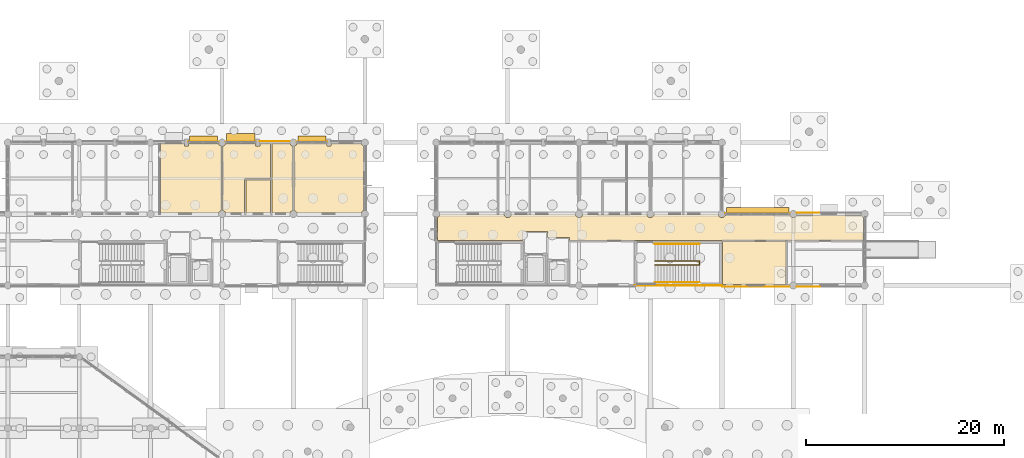
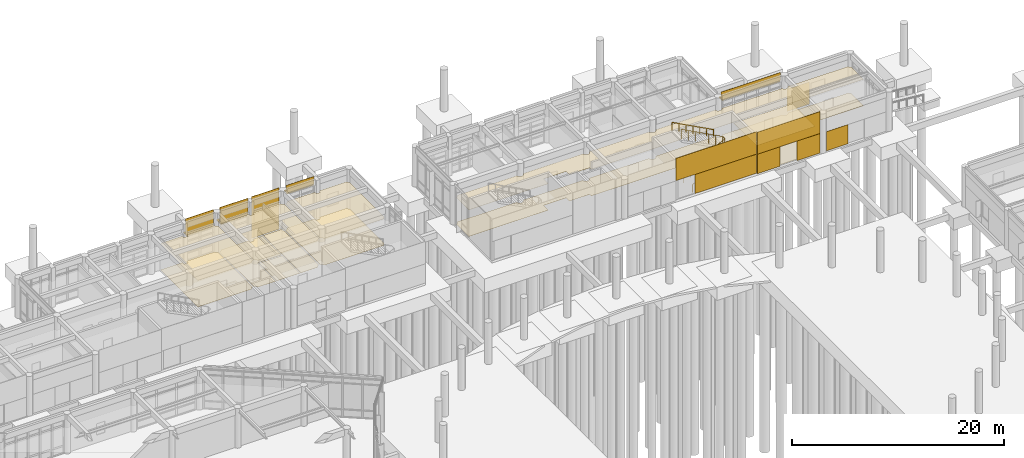
# One storey, part 97 of 103: 26 coverings, 4 shading devices, 3 railings.
"""IFC4 building model written with IfcOpenShell, lengths in metres."""

from ifc_helpers import new_model, si_unit, direction, frame, origin, origin_2d, place, context, subcontext, project, spatial, polyline, rectangle, circle, outline, extrude, material, layer, layer_set, type_object, element, save


model = new_model("IFC4")

# Units and contexts
model_context = context("Model", 3, precision=1e-05, world=origin(), true_north=direction((0.0, 1.0)))
body_context = subcontext(model_context, "Body", "Model", "MODEL_VIEW")
ifc_project = project(units=[si_unit("LENGTHUNIT", "METRE"), si_unit("AREAUNIT", "SQUARE_METRE"), si_unit("VOLUMEUNIT", "CUBIC_METRE"), si_unit("PLANEANGLEUNIT", "RADIAN"), si_unit("MASSUNIT", "GRAM", prefix="KILO")], contexts=[model_context])

# Site, building, storey
site_placement = place(None, origin())
site = spatial("IfcSite", under=ifc_project, at=site_placement, CompositionType="ELEMENT")
building_placement = place(site_placement, origin())
building = spatial("IfcBuilding", under=site, at=building_placement, Name="Namkhue Oval Health Centre", CompositionType="ELEMENT")
storey_placement = place(building_placement, origin())
storey = spatial("IfcBuildingStorey", under=building, at=storey_placement, Name="L00", CompositionType="ELEMENT", Elevation=0.0)

# Coverings
ifc_material_1 = material(Name="Acoustic mineral-fibre cleanroom ceiling", Category="gypsum")
ifc_layer_1 = layer(ifc_material_1, 0.02001953125)
ifc_layer_set_1 = layer_set([ifc_layer_1], Name="Acoustic mineral-fibre cleanroom ceiling")
covering_type_1 = type_object("IfcCoveringType", Name="ACOUSTIC CLEANROOM CEILING 20", PredefinedType="CEILING", material=ifc_layer_set_1)
covering_1_placement = place(storey_placement, frame((0.0, 0.0, 3.050048828125)))
element("IfcCovering", 1, at=covering_1_placement, inside=storey, type_object=covering_type_1, Name="Acoustic Ceiling L00-204 Vaccination Immunisation Room", PredefinedType="CEILING", context=body_context, shape_type="SweptSolid", body=[
    extrude(outline(polyline([(65.801025390625, 97.280029296875), (65.801025390625, 104.31494140625), (68.18994140625, 104.31494140625), (68.18994140625, 104.0400390625), (68.610107421875, 104.0400390625), (68.610107421875, 104.31494140625), (71.651123046875, 104.31494140625), (71.688232421875, 104.219970703125), (71.745361328125, 104.1455078125), (71.820068359375, 104.088134765625), (71.90673828125, 104.05224609375), (71.929931640625, 104.04931640625), (71.929931640625, 97.55078125), (71.90673828125, 97.547607421875), (71.820068359375, 97.51171875), (71.745361328125, 97.45458984375), (71.688232421875, 97.3798828125), (71.65234375, 97.293212890625), (71.650390625, 97.280029296875), (65.801025390625, 97.280029296875)])), origin(), (0.0, 0.0, 1.0), 0.02001953125),
])
covering_2_placement = place(storey_placement, frame((0.0, 0.0, 3.050048828125)))
element("IfcCovering", 2, at=covering_2_placement, inside=storey, type_object=covering_type_1, Name="Acoustic Ceiling L00-205 Clean Medical Utility Room", PredefinedType="CEILING", context=body_context, shape_type="SweptSolid", body=[
    extrude(outline(polyline([(75.389892578125, 104.31494140625), (75.389892578125, 104.0400390625), (75.81005859375, 104.0400390625), (75.81005859375, 104.31494140625), (76.89990234375, 104.31494140625), (76.89990234375, 100.739990234375), (74.280029296875, 100.739990234375), (74.280029296875, 97.280029296875), (72.349609375, 97.280029296875), (72.34765625, 97.293212890625), (72.311767578125, 97.3798828125), (72.254638671875, 97.45458984375), (72.179931640625, 97.51171875), (72.09326171875, 97.547607421875), (72.070068359375, 97.55078125), (72.070068359375, 104.04931640625), (72.09326171875, 104.05224609375), (72.179931640625, 104.088134765625), (72.254638671875, 104.1455078125), (72.311767578125, 104.219970703125), (72.348876953125, 104.31494140625), (75.389892578125, 104.31494140625)])), origin(), (0.0, 0.0, 1.0), 0.02001953125),
])
covering_3_placement = place(storey_placement, frame((0.0, 0.0, 3.050048828125)))
element("IfcCovering", 3, at=covering_3_placement, inside=storey, type_object=covering_type_1, Name="Acoustic Ceiling L00-206 Accessible WC", PredefinedType="CEILING", context=body_context, shape_type="SweptSolid", body=[
    extrude(outline(polyline([(76.89990234375, 100.6201171875), (76.89990234375, 97.280029296875), (74.39990234375, 97.280029296875), (74.39990234375, 100.6201171875), (76.89990234375, 100.6201171875)])), origin(), (0.0, 0.0, 1.0), 0.02001953125),
])
covering_4_placement = place(storey_placement, frame((0.0, 0.0, 3.050048828125)))
element("IfcCovering", 4, at=covering_4_placement, inside=storey, type_object=covering_type_1, Name="Acoustic Ceiling L00-207 Public Washroom", PredefinedType="CEILING", context=body_context, shape_type="SweptSolid", body=[
    extrude(outline(polyline([(77.02001953125, 97.280029296875), (77.02001953125, 104.31494140625), (78.851318359375, 104.31494140625), (78.88818359375, 104.219970703125), (78.9453125, 104.1455078125), (79.02001953125, 104.088134765625), (79.106689453125, 104.05224609375), (79.1298828125, 104.04931640625), (79.1298828125, 97.55078125), (79.106689453125, 97.547607421875), (79.02001953125, 97.51171875), (78.9453125, 97.45458984375), (78.88818359375, 97.3798828125), (78.852294921875, 97.293212890625), (78.8505859375, 97.280029296875), (77.02001953125, 97.280029296875)])), origin(), (0.0, 0.0, 1.0), 0.02001953125),
])
covering_5_placement = place(storey_placement, frame((0.0, 0.0, 3.050048828125)))
element("IfcCovering", 5, at=covering_5_placement, inside=storey, type_object=covering_type_1, Name="Acoustic Ceiling L00-208 GP Triage Reception", PredefinedType="CEILING", context=body_context, shape_type="SweptSolid", body=[
    extrude(outline(polyline([(79.549560546875, 97.280029296875), (79.547607421875, 97.293212890625), (79.51171875, 97.3798828125), (79.45458984375, 97.45458984375), (79.3798828125, 97.51171875), (79.293212890625, 97.547607421875), (79.27001953125, 97.55078125), (79.27001953125, 104.04931640625), (79.293212890625, 104.05224609375), (79.3798828125, 104.088134765625), (79.45458984375, 104.1455078125), (79.51171875, 104.219970703125), (79.548828125, 104.31494140625), (82.590087890625, 104.31494140625), (82.590087890625, 104.0400390625), (83.010009765625, 104.0400390625), (83.010009765625, 104.31494140625), (86.05126953125, 104.31494140625), (86.088134765625, 104.219970703125), (86.1455078125, 104.1455078125), (86.219970703125, 104.088134765625), (86.2451171875, 104.077880859375), (86.2451171875, 97.522216796875), (86.219970703125, 97.51171875), (86.1455078125, 97.45458984375), (86.088134765625, 97.3798828125), (86.05224609375, 97.293212890625), (86.050537109375, 97.280029296875), (79.549560546875, 97.280029296875)])), origin(), (0.0, 0.0, 1.0), 0.02001953125),
])
covering_6_placement = place(storey_placement, frame((0.0, 0.0, 3.050048828125)))
element("IfcCovering", 6, at=covering_6_placement, inside=storey, type_object=covering_type_1, Name="Acoustic Ceiling L00-V3-C1 V3 Clinical Corridor", PredefinedType="CEILING", context=body_context, shape_type="SweptSolid", body=[
    extrude(outline(polyline([(107.0400390625, 94.800048828125), (107.037109375, 94.815185546875), (107.0283203125, 94.828369140625), (107.015380859375, 94.8369140625), (107.0, 94.840087890625), (104.840087890625, 94.840087890625), (104.83984375, 95.40380859375), (104.8369140625, 95.415283203125), (104.828369140625, 95.42822265625), (104.815185546875, 95.43701171875), (104.803955078125, 95.439697265625), (102.39990234375, 95.43994140625), (102.384765625, 95.43701171875), (102.37158203125, 95.42822265625), (102.363037109375, 95.415283203125), (102.360107421875, 95.39990234375), (102.360107421875, 94.5400390625), (93.72509765625, 94.5400390625), (93.72509765625, 96.865478515625), (93.780029296875, 96.88818359375), (93.8544921875, 96.9453125), (93.911865234375, 97.02001953125), (93.94775390625, 97.106689453125), (93.95458984375, 97.159912109375), (100.4453125, 97.159912109375), (100.452392578125, 97.106689453125), (100.48828125, 97.02001953125), (100.54541015625, 96.9453125), (100.6201171875, 96.88818359375), (100.706787109375, 96.852294921875), (100.800048828125, 96.840087890625), (100.893310546875, 96.852294921875), (100.97998046875, 96.88818359375), (101.0546875, 96.9453125), (101.11181640625, 97.02001953125), (101.147705078125, 97.106689453125), (101.15478515625, 97.159912109375), (107.645263671875, 97.159912109375), (107.65234375, 97.106689453125), (107.688232421875, 97.02001953125), (107.745361328125, 96.9453125), (107.820068359375, 96.88818359375), (107.90673828125, 96.852294921875), (108.0, 96.840087890625), (108.09326171875, 96.852294921875), (108.179931640625, 96.88818359375), (108.254638671875, 96.9453125), (108.311767578125, 97.02001953125), (108.34765625, 97.106689453125), (108.354736328125, 97.159912109375), (114.84521484375, 97.159912109375), (114.852294921875, 97.106689453125), (114.88818359375, 97.02001953125), (114.9453125, 96.9453125), (115.02001953125, 96.88818359375), (115.106689453125, 96.852294921875), (115.199951171875, 96.840087890625), (115.293212890625, 96.852294921875), (115.3798828125, 96.88818359375), (115.45458984375, 96.9453125), (115.51171875, 97.02001953125), (115.547607421875, 97.106689453125), (115.5546875, 97.159912109375), (122.04541015625, 97.159912109375), (122.05224609375, 97.106689453125), (122.088134765625, 97.02001953125), (122.1455078125, 96.9453125), (122.219970703125, 96.88818359375), (122.306884765625, 96.852294921875), (122.39990234375, 96.840087890625), (122.4931640625, 96.852294921875), (122.580078125, 96.88818359375), (122.654541015625, 96.9453125), (122.7119140625, 97.02001953125), (122.734619140625, 97.074951171875), (129.265380859375, 97.074951171875), (129.2880859375, 97.02001953125), (129.345458984375, 96.9453125), (129.419921875, 96.88818359375), (129.5068359375, 96.852294921875), (129.60009765625, 96.840087890625), (129.693115234375, 96.852294921875), (129.780029296875, 96.88818359375), (129.8544921875, 96.9453125), (129.911865234375, 97.02001953125), (129.9345703125, 97.074951171875), (136.46533203125, 97.074951171875), (136.48828125, 97.02001953125), (136.54541015625, 96.9453125), (136.6201171875, 96.88818359375), (136.675048828125, 96.865478515625), (136.675048828125, 94.5400390625), (107.0400390625, 94.5400390625), (107.0400390625, 94.800048828125)])), origin(), (0.0, 0.0, 1.0), 0.02001953125),
])
covering_7_placement = place(storey_placement, frame((0.0, 0.0, 3.050048828125)))
element("IfcCovering", 7, at=covering_7_placement, inside=storey, type_object=covering_type_1, Name="Acoustic Ceiling L00-310 Vascular Doppler Diagnostics", PredefinedType="CEILING", context=body_context, shape_type="SweptSolid", body=[
    extrude(outline(polyline([(122.47998046875, 90.0849609375), (122.47998046875, 94.419921875), (128.860107421875, 94.419921875), (128.860107421875, 90.0849609375), (122.47998046875, 90.0849609375)])), origin(), (0.0, 0.0, 1.0), 0.02001953125),
])
ifc_material_2 = material(Name="Homogeneous anti-bacterial clinical vinyl flooring", Category="plastic")
ifc_layer_2 = layer(ifc_material_2, 0.014892578125)
ifc_layer_set_2 = layer_set([ifc_layer_2], Name="Homogeneous anti-bacterial clinical vinyl flooring")
covering_type_2 = type_object("IfcCoveringType", Name="CLINICAL ANTIBACTERIAL VINYL FLOORING 15", PredefinedType="FLOORING", material=ifc_layer_set_2)
covering_8_placement = place(storey_placement, origin())
element("IfcCovering", 8, at=covering_8_placement, inside=storey, type_object=covering_type_2, Name="Clinical Flooring L00-204 Vaccination Immunisation Room", PredefinedType="FLOORING", context=body_context, shape_type="SweptSolid", body=[
    extrude(outline(polyline([(65.801025390625, 97.280029296875), (65.801025390625, 104.31494140625), (68.18994140625, 104.31494140625), (68.18994140625, 104.0400390625), (68.610107421875, 104.0400390625), (68.610107421875, 104.31494140625), (71.651123046875, 104.31494140625), (71.688232421875, 104.219970703125), (71.745361328125, 104.1455078125), (71.820068359375, 104.088134765625), (71.90673828125, 104.05224609375), (71.929931640625, 104.04931640625), (71.929931640625, 97.55078125), (71.90673828125, 97.547607421875), (71.820068359375, 97.51171875), (71.745361328125, 97.45458984375), (71.688232421875, 97.3798828125), (71.65234375, 97.293212890625), (71.650390625, 97.280029296875), (65.801025390625, 97.280029296875)])), origin(), (0.0, 0.0, 1.0), 0.014892578125),
])
covering_9_placement = place(storey_placement, origin())
element("IfcCovering", 9, at=covering_9_placement, inside=storey, type_object=covering_type_2, Name="Clinical Flooring L00-205 Clean Medical Utility Room", PredefinedType="FLOORING", context=body_context, shape_type="SweptSolid", body=[
    extrude(outline(polyline([(75.389892578125, 104.31494140625), (75.389892578125, 104.0400390625), (75.81005859375, 104.0400390625), (75.81005859375, 104.31494140625), (76.89990234375, 104.31494140625), (76.89990234375, 100.739990234375), (74.280029296875, 100.739990234375), (74.280029296875, 97.280029296875), (72.349609375, 97.280029296875), (72.34765625, 97.293212890625), (72.311767578125, 97.3798828125), (72.254638671875, 97.45458984375), (72.179931640625, 97.51171875), (72.09326171875, 97.547607421875), (72.070068359375, 97.55078125), (72.070068359375, 104.04931640625), (72.09326171875, 104.05224609375), (72.179931640625, 104.088134765625), (72.254638671875, 104.1455078125), (72.311767578125, 104.219970703125), (72.348876953125, 104.31494140625), (75.389892578125, 104.31494140625)])), origin(), (0.0, 0.0, 1.0), 0.014892578125),
])
covering_10_placement = place(storey_placement, origin())
element("IfcCovering", 10, at=covering_10_placement, inside=storey, type_object=covering_type_2, Name="Clinical Flooring L00-206 Accessible WC", PredefinedType="FLOORING", context=body_context, shape_type="SweptSolid", body=[
    extrude(outline(polyline([(76.89990234375, 100.6201171875), (76.89990234375, 97.280029296875), (74.39990234375, 97.280029296875), (74.39990234375, 100.6201171875), (76.89990234375, 100.6201171875)])), origin(), (0.0, 0.0, 1.0), 0.014892578125),
])
covering_11_placement = place(storey_placement, origin())
element("IfcCovering", 11, at=covering_11_placement, inside=storey, type_object=covering_type_2, Name="Clinical Flooring L00-207 Public Washroom", PredefinedType="FLOORING", context=body_context, shape_type="SweptSolid", body=[
    extrude(outline(polyline([(77.02001953125, 97.280029296875), (77.02001953125, 104.31494140625), (78.851318359375, 104.31494140625), (78.88818359375, 104.219970703125), (78.9453125, 104.1455078125), (79.02001953125, 104.088134765625), (79.106689453125, 104.05224609375), (79.1298828125, 104.04931640625), (79.1298828125, 97.55078125), (79.106689453125, 97.547607421875), (79.02001953125, 97.51171875), (78.9453125, 97.45458984375), (78.88818359375, 97.3798828125), (78.852294921875, 97.293212890625), (78.8505859375, 97.280029296875), (77.02001953125, 97.280029296875)])), origin(), (0.0, 0.0, 1.0), 0.014892578125),
])
covering_12_placement = place(storey_placement, origin())
element("IfcCovering", 12, at=covering_12_placement, inside=storey, type_object=covering_type_2, Name="Clinical Flooring L00-208 GP Triage Reception", PredefinedType="FLOORING", context=body_context, shape_type="SweptSolid", body=[
    extrude(outline(polyline([(79.549560546875, 97.280029296875), (79.547607421875, 97.293212890625), (79.51171875, 97.3798828125), (79.45458984375, 97.45458984375), (79.3798828125, 97.51171875), (79.293212890625, 97.547607421875), (79.27001953125, 97.55078125), (79.27001953125, 104.04931640625), (79.293212890625, 104.05224609375), (79.3798828125, 104.088134765625), (79.45458984375, 104.1455078125), (79.51171875, 104.219970703125), (79.548828125, 104.31494140625), (82.590087890625, 104.31494140625), (82.590087890625, 104.0400390625), (83.010009765625, 104.0400390625), (83.010009765625, 104.31494140625), (86.05126953125, 104.31494140625), (86.088134765625, 104.219970703125), (86.1455078125, 104.1455078125), (86.219970703125, 104.088134765625), (86.2451171875, 104.077880859375), (86.2451171875, 97.522216796875), (86.219970703125, 97.51171875), (86.1455078125, 97.45458984375), (86.088134765625, 97.3798828125), (86.05224609375, 97.293212890625), (86.050537109375, 97.280029296875), (79.549560546875, 97.280029296875)])), origin(), (0.0, 0.0, 1.0), 0.014892578125),
])
covering_13_placement = place(storey_placement, origin())
element("IfcCovering", 13, at=covering_13_placement, inside=storey, type_object=covering_type_2, Name="Clinical Flooring L00-V3-C1 V3 Clinical Corridor", PredefinedType="FLOORING", context=body_context, shape_type="SweptSolid", body=[
    extrude(outline(polyline([(107.0400390625, 94.800048828125), (107.037109375, 94.815185546875), (107.0283203125, 94.828369140625), (107.015380859375, 94.8369140625), (107.0, 94.840087890625), (104.840087890625, 94.840087890625), (104.83984375, 95.40380859375), (104.8369140625, 95.415283203125), (104.828369140625, 95.42822265625), (104.815185546875, 95.43701171875), (104.803955078125, 95.439697265625), (102.39990234375, 95.43994140625), (102.384765625, 95.43701171875), (102.37158203125, 95.42822265625), (102.363037109375, 95.415283203125), (102.360107421875, 95.39990234375), (102.360107421875, 94.5400390625), (93.72509765625, 94.5400390625), (93.72509765625, 96.865478515625), (93.780029296875, 96.88818359375), (93.8544921875, 96.9453125), (93.911865234375, 97.02001953125), (93.94775390625, 97.106689453125), (93.95458984375, 97.159912109375), (100.4453125, 97.159912109375), (100.452392578125, 97.106689453125), (100.48828125, 97.02001953125), (100.54541015625, 96.9453125), (100.6201171875, 96.88818359375), (100.706787109375, 96.852294921875), (100.800048828125, 96.840087890625), (100.893310546875, 96.852294921875), (100.97998046875, 96.88818359375), (101.0546875, 96.9453125), (101.11181640625, 97.02001953125), (101.147705078125, 97.106689453125), (101.15478515625, 97.159912109375), (107.645263671875, 97.159912109375), (107.65234375, 97.106689453125), (107.688232421875, 97.02001953125), (107.745361328125, 96.9453125), (107.820068359375, 96.88818359375), (107.90673828125, 96.852294921875), (108.0, 96.840087890625), (108.09326171875, 96.852294921875), (108.179931640625, 96.88818359375), (108.254638671875, 96.9453125), (108.311767578125, 97.02001953125), (108.34765625, 97.106689453125), (108.354736328125, 97.159912109375), (114.84521484375, 97.159912109375), (114.852294921875, 97.106689453125), (114.88818359375, 97.02001953125), (114.9453125, 96.9453125), (115.02001953125, 96.88818359375), (115.106689453125, 96.852294921875), (115.199951171875, 96.840087890625), (115.293212890625, 96.852294921875), (115.3798828125, 96.88818359375), (115.45458984375, 96.9453125), (115.51171875, 97.02001953125), (115.547607421875, 97.106689453125), (115.5546875, 97.159912109375), (122.04541015625, 97.159912109375), (122.05224609375, 97.106689453125), (122.088134765625, 97.02001953125), (122.1455078125, 96.9453125), (122.219970703125, 96.88818359375), (122.306884765625, 96.852294921875), (122.39990234375, 96.840087890625), (122.4931640625, 96.852294921875), (122.580078125, 96.88818359375), (122.654541015625, 96.9453125), (122.7119140625, 97.02001953125), (122.734619140625, 97.074951171875), (129.265380859375, 97.074951171875), (129.2880859375, 97.02001953125), (129.345458984375, 96.9453125), (129.419921875, 96.88818359375), (129.5068359375, 96.852294921875), (129.60009765625, 96.840087890625), (129.693115234375, 96.852294921875), (129.780029296875, 96.88818359375), (129.8544921875, 96.9453125), (129.911865234375, 97.02001953125), (129.9345703125, 97.074951171875), (136.46533203125, 97.074951171875), (136.48828125, 97.02001953125), (136.54541015625, 96.9453125), (136.6201171875, 96.88818359375), (136.675048828125, 96.865478515625), (136.675048828125, 94.5400390625), (107.0400390625, 94.5400390625), (107.0400390625, 94.800048828125)])), origin(), (0.0, 0.0, 1.0), 0.014892578125),
])
covering_14_placement = place(storey_placement, origin())
element("IfcCovering", 14, at=covering_14_placement, inside=storey, type_object=covering_type_2, Name="Clinical Flooring L00-310 Vascular Doppler Diagnostics", PredefinedType="FLOORING", context=body_context, shape_type="SweptSolid", body=[
    extrude(outline(polyline([(122.47998046875, 90.0849609375), (122.47998046875, 94.419921875), (128.860107421875, 94.419921875), (128.860107421875, 90.0849609375), (122.47998046875, 90.0849609375)])), origin(), (0.0, 0.0, 1.0), 0.014892578125),
])

# Railings
ifc_material_3 = material(Name="Brushed stainless steel 316L balustrade with laminated glass infill", Category="steel")
railing_type_1 = type_object("IfcRailingType", Name="INTERIOR BALUSTRADE GUARD 1150", PredefinedType="BALUSTRADE", material=ifc_material_3)
railing_1_placement = place(storey_placement, frame((115.64990234375, 92.0400390625, 0.0)))
element("IfcRailing", 15, at=railing_1_placement, inside=storey, type_object=railing_type_1, Name="Stair ST-06 L00 Inner Well Guard", PredefinedType="BALUSTRADE", context=body_context, shape_type="SweptSolid", body=[
    extrude(circle(Radius=0.02392578125, at=origin_2d()), frame((0.0, 0.0, 1.1259765625), z_axis=(0.882360891967, 0.0, 0.470573327259), x_axis=(0.0, 1.0, 0.0)), (0.0, 0.0, 1.0), 5.099853515625),
    extrude(circle(Radius=0.02392578125, at=origin_2d()), frame((4.5, 0.0, 3.52587890625), z_axis=(0.0, 1.0, 0.0), x_axis=(-1.0, 0.0, 0.0)), (0.0, 0.0, 1.0), 0.419921875),
    extrude(circle(Radius=0.02392578125, at=origin_2d()), frame((4.5, 0.419921875, 3.52587890625), z_axis=(-0.882341014787, 0.0, 0.470610596591), x_axis=(0.0, -1.0, 0.0)), (0.0, 0.0, 1.0), 5.10009765625),
    extrude(circle(Radius=0.02099609375, at=origin_2d()), origin(), (0.0, 0.0, 1.0), 1.101806640625),
    extrude(circle(Radius=0.02099609375, at=origin_2d()), frame((0.75, 0.0, 0.39990234375)), (0.0, 0.0, 1.0), 1.101806640625),
    extrude(circle(Radius=0.02099609375, at=origin_2d()), frame((1.5, 0.0, 0.800048828125)), (0.0, 0.0, 1.0), 1.101806640625),
    extrude(circle(Radius=0.02099609375, at=origin_2d()), frame((2.25, 0.0, 1.199951171875)), (0.0, 0.0, 1.0), 1.101806640625),
    extrude(circle(Radius=0.02099609375, at=origin_2d()), frame((3.0, 0.0, 1.599853515625)), (0.0, 0.0, 1.0), 1.101806640625),
    extrude(circle(Radius=0.02099609375, at=origin_2d()), frame((3.75, 0.0, 2.0)), (0.0, 0.0, 1.0), 1.101806640625),
    extrude(circle(Radius=0.02099609375, at=origin_2d()), frame((4.5, 0.0, 2.39990234375)), (0.0, 0.0, 1.0), 1.101806640625),
    extrude(circle(Radius=0.02099609375, at=origin_2d()), frame((4.5, 0.419921875, 2.39990234375)), (0.0, 0.0, 1.0), 1.101806640625),
    extrude(circle(Radius=0.02099609375, at=origin_2d()), frame((3.75, 0.419921875, 2.7998046875)), (0.0, 0.0, 1.0), 1.101806640625),
    extrude(circle(Radius=0.02099609375, at=origin_2d()), frame((3.0, 0.419921875, 3.199951171875)), (0.0, 0.0, 1.0), 1.101806640625),
    extrude(circle(Radius=0.02099609375, at=origin_2d()), frame((2.25, 0.419921875, 3.60009765625)), (0.0, 0.0, 1.0), 1.101806640625),
    extrude(circle(Radius=0.02099609375, at=origin_2d()), frame((1.5, 0.419921875, 4.0)), (0.0, 0.0, 1.0), 1.101806640625),
    extrude(circle(Radius=0.02099609375, at=origin_2d()), frame((0.75, 0.419921875, 4.39990234375)), (0.0, 0.0, 1.0), 1.101806640625),
    extrude(circle(Radius=0.02099609375, at=origin_2d()), frame((0.0, 0.419921875, 4.800048828125)), (0.0, 0.0, 1.0), 1.101806640625),
])
ifc_material_4 = material(Name="Brushed stainless steel 304 tubular handrail", Category="steel")
railing_type_2 = type_object("IfcRailingType", Name="INTERIOR STAIR HANDRAIL 900", PredefinedType="HANDRAIL", material=ifc_material_4)
railing_2_placement = place(storey_placement, frame((115.64990234375, 90.320068359375, 0.0)))
element("IfcRailing", 16, at=railing_2_placement, inside=storey, type_object=railing_type_2, Name="Stair ST-06 L00 Flight 1 Handrail", PredefinedType="HANDRAIL", context=body_context, shape_type="SweptSolid", body=[
    extrude(circle(Radius=0.02392578125, at=origin_2d()), frame((0.0, 0.0, 0.8759765625), z_axis=(0.882360891967, 0.0, 0.470573327259), x_axis=(0.0, 1.0, 0.0)), (0.0, 0.0, 1.0), 5.099853515625),
    extrude(circle(Radius=0.02099609375, at=origin_2d()), origin(), (0.0, 0.0, 1.0), 0.851806640625),
    extrude(circle(Radius=0.02099609375, at=origin_2d()), frame((0.75, 0.0, 0.39990234375)), (0.0, 0.0, 1.0), 0.851806640625),
    extrude(circle(Radius=0.02099609375, at=origin_2d()), frame((1.5, 0.0, 0.800048828125)), (0.0, 0.0, 1.0), 0.851806640625),
    extrude(circle(Radius=0.02099609375, at=origin_2d()), frame((2.25, 0.0, 1.199951171875)), (0.0, 0.0, 1.0), 0.851806640625),
    extrude(circle(Radius=0.02099609375, at=origin_2d()), frame((3.0, 0.0, 1.599853515625)), (0.0, 0.0, 1.0), 0.851806640625),
    extrude(circle(Radius=0.02099609375, at=origin_2d()), frame((3.75, 0.0, 2.0)), (0.0, 0.0, 1.0), 0.851806640625),
    extrude(circle(Radius=0.02099609375, at=origin_2d()), frame((4.5, 0.0, 2.39990234375)), (0.0, 0.0, 1.0), 0.851806640625),
])
railing_3_placement = place(storey_placement, frame((120.14990234375, 94.179931640625, 2.39990234375)))
element("IfcRailing", 17, at=railing_3_placement, inside=storey, type_object=railing_type_2, Name="Stair ST-06 L00 Flight 2 Handrail", PredefinedType="HANDRAIL", context=body_context, shape_type="SweptSolid", body=[
    extrude(circle(Radius=0.02392578125, at=origin_2d()), frame((0.0, 0.0, 0.8759765625), z_axis=(-0.882341014787, 0.0, 0.470610596591), x_axis=(0.0, -1.0, 0.0)), (0.0, 0.0, 1.0), 5.10009765625),
    extrude(circle(Radius=0.02099609375, at=origin_2d()), origin(), (0.0, 0.0, 1.0), 0.851806640625),
    extrude(circle(Radius=0.02099609375, at=origin_2d()), frame((-0.75, 0.0, 0.39990234375)), (0.0, 0.0, 1.0), 0.851806640625),
    extrude(circle(Radius=0.02099609375, at=origin_2d()), frame((-1.5, 0.0, 0.800048828125)), (0.0, 0.0, 1.0), 0.851806640625),
    extrude(circle(Radius=0.02099609375, at=origin_2d()), frame((-2.25, 0.0, 1.2001953125)), (0.0, 0.0, 1.0), 0.851806640625),
    extrude(circle(Radius=0.02099609375, at=origin_2d()), frame((-3.0, 0.0, 1.60009765625)), (0.0, 0.0, 1.0), 0.851806640625),
    extrude(circle(Radius=0.02099609375, at=origin_2d()), frame((-3.75, 0.0, 2.0)), (0.0, 0.0, 1.0), 0.851806640625),
    extrude(circle(Radius=0.02099609375, at=origin_2d()), frame((-4.5, 0.0, 2.400146484375)), (0.0, 0.0, 1.0), 0.851806640625),
])

# Shading devices
ifc_material_5 = material(Name="Anodised aluminium EN AW-6063 T6", Category="aluminium")
ifc_layer_3 = layer(ifc_material_5, 0.06005859375)
ifc_layer_set_3 = layer_set([ifc_layer_3], Name="Anodised aluminium EN AW-6063 T6")
shading_device_type_1 = type_object("IfcShadingDeviceType", Name="MONSOON SUN LOUVRE 900", PredefinedType="JALOUSIE", material=ifc_layer_set_3)
shading_device_1_placement = place(storey_placement, frame((73.87451171875, 104.85009765625, 2.830078125), z_axis=(0.0, 0.0, 1.0), x_axis=(-1.0, 0.0, 0.0)))
element("IfcShadingDevice", 18, at=shading_device_1_placement, inside=storey, type_object=shading_device_type_1, Name="Volume V2 L00 Horizontal Monsoon Sun Louvre 50", PredefinedType="JALOUSIE", context=body_context, shape_type="SweptSolid", body=[
    extrude(rectangle(XDim=2.85888671875, YDim=0.89990234375, at=origin_2d()), origin(), (0.0, 0.0, 1.0), 0.06005859375),
])
ifc_layer_4 = layer(ifc_material_5, 0.050048828125)
ifc_layer_set_4 = layer_set([ifc_layer_4], Name="Anodised aluminium EN AW-6063 T6")
shading_device_type_2 = type_object("IfcShadingDeviceType", Name="STORM SHUTTER LOUVRE 650", PredefinedType="SHUTTER", material=ifc_layer_set_4)
for number, where, z_axis, x_axis, name in (
    (19, (81.074462890625, 104.72509765625, 3.840087890625), (0.0, 0.0, 1.0), (-1.0, 0.0, 0.0), "Volume V2 L00 Horizontal Monsoon Sun Louvre 49"),
    (20, (70.12548828125, 104.72509765625, 2.830078125), (0.0, 0.0, 1.0), (-1.0, 0.0, 0.0), "Volume V2 L00 Horizontal Monsoon Sun Louvre 51"),
):
    element("IfcShadingDevice", number, at=place(storey_placement, frame(where, z_axis=z_axis, x_axis=x_axis)), inside=storey, type_object=shading_device_type_2, Name=name, PredefinedType="SHUTTER", context=body_context, shape_type="SweptSolid", body=[
        extrude(rectangle(XDim=2.85888671875, YDim=0.64990234375, at=origin_2d()), origin(), (0.0, 0.0, 1.0), 0.06005859375),
    ])
shading_device_2_placement = place(storey_placement, frame((126.0, 97.52490234375, 3.81494140625), z_axis=(0.0, 0.0, 1.0), x_axis=(-1.0, 0.0, 0.0)))
element("IfcShadingDevice", 21, at=shading_device_2_placement, inside=storey, type_object=shading_device_type_2, Name="Volume V3 L00 Horizontal Monsoon Sun Louvre 119", PredefinedType="SHUTTER", context=body_context, shape_type="SweptSolid", body=[
    extrude(rectangle(XDim=6.31005859375, YDim=0.64990234375, at=origin_2d()), origin(), (0.0, 0.0, 1.0), 0.06005859375),
])

# Coverings
ifc_material_6 = material(Name="White glass-fibre reinforced concrete GRC rainscreen cladding", Category="concrete")
ifc_layer_5 = layer(ifc_material_6, 0.02490234375)
ifc_layer_set_5 = layer_set([ifc_layer_5], Name="White glass-fibre reinforced concrete GRC rainscreen cladding")
covering_type_3 = type_object("IfcCoveringType", Name="WHITE GRC RAINSCREEN CLADDING 25", PredefinedType="CLADDING", material=ifc_layer_set_5)
covering_15_placement = place(storey_placement, frame((81.074462890625, 104.488525390625, 3.89501953125), z_axis=(0.0, 0.0, 1.0), x_axis=(-1.0, 0.0, 0.0)))
element("IfcCovering", 22, at=covering_15_placement, inside=storey, type_object=covering_type_3, Name="Volume V2 L00 Curtain Wall Spandrel Cladding 38", PredefinedType="CLADDING", context=body_context, shape_type="SweptSolid", body=[
    extrude(rectangle(XDim=3.049072265625, YDim=0.02490234375, at=origin_2d()), origin(), (0.0, 0.0, 1.0), 0.905029296875),
])
covering_16_placement = place(storey_placement, frame((77.325439453125, 104.531982421875, 0.009765625), z_axis=(0.0, 0.0, 1.0), x_axis=(-1.0, 0.0, 0.0)))
element("IfcCovering", 23, at=covering_16_placement, inside=storey, type_object=covering_type_3, Name="Volume V2 L00 Facade 23 White GRC Cladding 1", PredefinedType="CLADDING", context=body_context, shape_type="SweptSolid", body=[
    extrude(rectangle(XDim=3.01904296875, YDim=0.02490234375, at=origin_2d()), origin(), (0.0, 0.0, 1.0), 4.780029296875),
])
for number, where, z_axis, x_axis, name in (
    (24, (73.87451171875, 104.488525390625, 2.885009765625), (0.0, 0.0, 1.0), (-1.0, 0.0, 0.0), "Volume V2 L00 Curtain Wall Spandrel Cladding 39"),
    (25, (70.12548828125, 104.488525390625, 2.885009765625), (0.0, 0.0, 1.0), (-1.0, 0.0, 0.0), "Volume V2 L00 Curtain Wall Spandrel Cladding 40"),
):
    element("IfcCovering", number, at=place(storey_placement, frame(where, z_axis=z_axis, x_axis=x_axis)), inside=storey, type_object=covering_type_3, Name=name, PredefinedType="CLADDING", context=body_context, shape_type="SweptSolid", body=[
        extrude(rectangle(XDim=3.049072265625, YDim=0.02490234375, at=origin_2d()), origin(), (0.0, 0.0, 1.0), 1.9150390625),
    ])
covering_17_placement = place(storey_placement, frame((125.82861328125, 89.873046875, 2.26513671875), z_axis=(0.0, 0.0, 1.0), x_axis=(1.0, 0.0, 0.0)))
element("IfcCovering", 26, at=covering_17_placement, inside=storey, type_object=covering_type_3, Name="Volume V3 L00 Facade 54 White GRC Cladding 1", PredefinedType="CLADDING", context=body_context, shape_type="SweptSolid", body=[
    extrude(rectangle(XDim=6.81298828125, YDim=0.02490234375, at=origin_2d()), origin(), (0.0, 0.0, 1.0), 2.52490234375),
])
for number, where, z_axis, x_axis, name in (
    (27, (123.667724609375, 89.873046875, 0.010009765625), (0.0, 0.0, 1.0), (1.0, 0.0, 0.0), "Volume V3 L00 Facade 54 White GRC Cladding 2"),
    (28, (127.9892578125, 89.873046875, 0.010009765625), (0.0, 0.0, 1.0), (1.0, 0.0, 0.0), "Volume V3 L00 Facade 54 White GRC Cladding 3"),
):
    element("IfcCovering", number, at=place(storey_placement, frame(where, z_axis=z_axis, x_axis=x_axis)), inside=storey, type_object=covering_type_3, Name=name, PredefinedType="CLADDING", context=body_context, shape_type="SweptSolid", body=[
        extrude(rectangle(XDim=2.491455078125, YDim=0.02490234375, at=origin_2d()), origin(), (0.0, 0.0, 1.0), 2.25),
    ])
covering_18_placement = place(storey_placement, frame((131.137451171875, 89.867919921875, 0.01025390625), z_axis=(0.0, 0.0, 1.0), x_axis=(1.0, 0.0, 0.0)))
element("IfcCovering", 29, at=covering_18_placement, inside=storey, type_object=covering_type_3, Name="Volume V3 L00 Facade 55 White GRC Cladding 2", PredefinedType="CLADDING", context=body_context, shape_type="SweptSolid", body=[
    extrude(rectangle(XDim=2.344970703125, YDim=0.02490234375, at=origin_2d()), origin(), (0.0, 0.0, 1.0), 2.219970703125),
])
covering_19_placement = place(storey_placement, frame((131.199951171875, 97.3369140625, 0.010009765625), z_axis=(0.0, 0.0, 1.0), x_axis=(-1.0, 0.0, 0.0)))
element("IfcCovering", 30, at=covering_19_placement, inside=storey, type_object=covering_type_3, Name="Volume V3 L00 Facade 56 White GRC Cladding 4", PredefinedType="CLADDING", context=body_context, shape_type="SweptSolid", body=[
    extrude(rectangle(XDim=2.469970703125, YDim=0.02490234375, at=origin_2d()), origin(), (0.0, 0.0, 1.0), 2.56005859375),
])
covering_20_placement = place(storey_placement, frame((126.0, 97.28857421875, 3.8701171875), z_axis=(0.0, 0.0, 1.0), x_axis=(-1.0, 0.0, 0.0)))
element("IfcCovering", 31, at=covering_20_placement, inside=storey, type_object=covering_type_3, Name="Volume V3 L00 Curtain Wall Spandrel Cladding 92", PredefinedType="CLADDING", context=body_context, shape_type="SweptSolid", body=[
    extrude(rectangle(XDim=6.5, YDim=0.02490234375, at=origin_2d()), origin(), (0.0, 0.0, 1.0), 0.929931640625),
])
covering_21_placement = place(storey_placement, frame((118.0, 89.988037109375, 2.21484375), z_axis=(0.0, 0.0, 1.0), x_axis=(1.0, 0.0, 0.0)))
element("IfcCovering", 32, at=covering_21_placement, inside=storey, type_object=covering_type_3, Name="Core SC-06 L00 Core S White GRC Cladding 1", PredefinedType="CLADDING", context=body_context, shape_type="SweptSolid", body=[
    extrude(rectangle(XDim=8.760009765625, YDim=0.02490234375, at=origin_2d()), origin(), (0.0, 0.0, 1.0), 2.574951171875),
])
covering_22_placement = place(storey_placement, frame((119.047607421875, 89.988037109375, 0.01025390625), z_axis=(0.0, 0.0, 1.0), x_axis=(1.0, 0.0, 0.0)))
element("IfcCovering", 33, at=covering_22_placement, inside=storey, type_object=covering_type_3, Name="Core SC-06 L00 Core S White GRC Cladding 3", PredefinedType="CLADDING", context=body_context, shape_type="SweptSolid", body=[
    extrude(rectangle(XDim=6.6650390625, YDim=0.02490234375, at=origin_2d()), origin(), (0.0, 0.0, 1.0), 2.199951171875),
])

save(model, "model.ifc")
